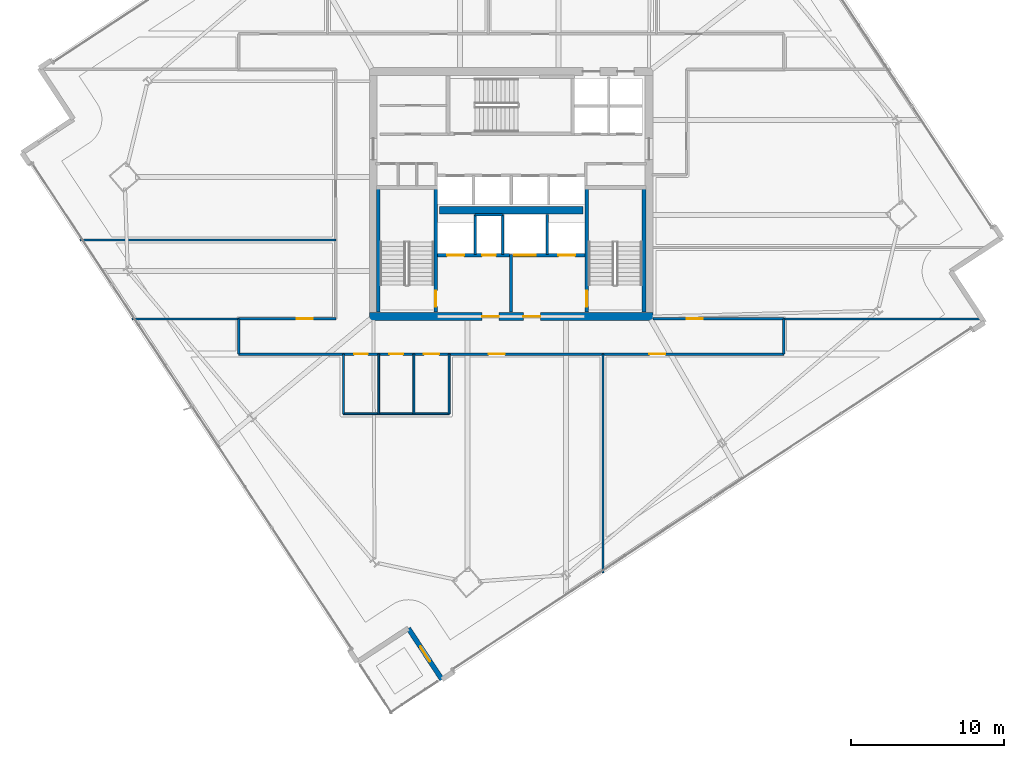
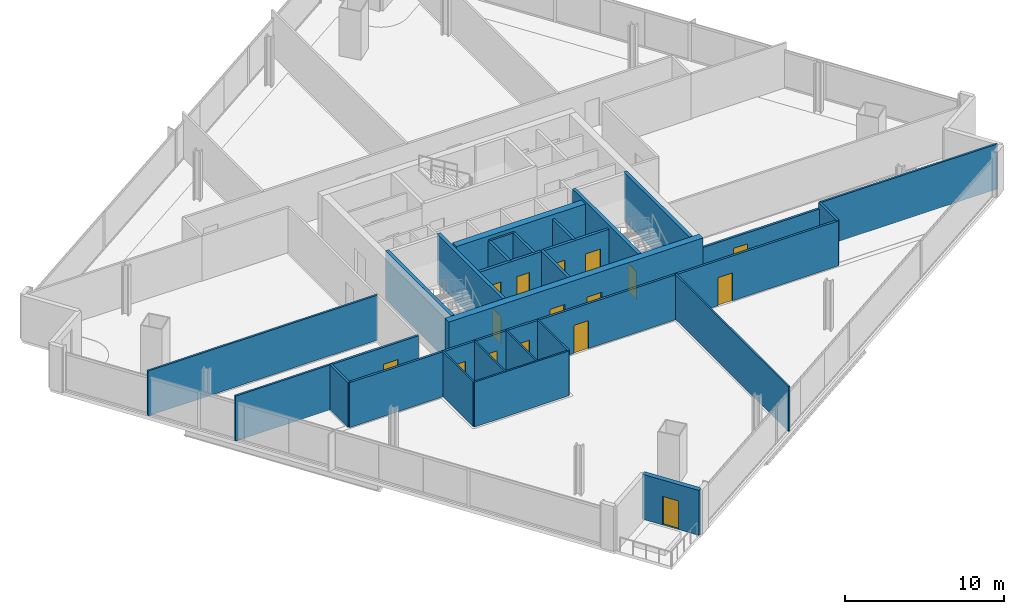
# One storey, part 21 of 29: 28 walls, 16 doors, 16 openings.
"""IFC4 building model written with IfcOpenShell, lengths in metres."""

from ifc_helpers import new_model, si_unit, direction, frame, frame_2d, origin, place, context, subcontext, project, spatial, rectangle, extrude, material, layer, layer_set, type_object, element, fill, save


model = new_model("IFC4")

# Units and contexts
model_context = context("Model", 3, precision=1e-05, world=origin(), true_north=direction((0.0, 1.0)))
body_context = subcontext(model_context, "Body", "Model", "MODEL_VIEW")
ifc_project = project(units=[si_unit("LENGTHUNIT", "METRE"), si_unit("AREAUNIT", "SQUARE_METRE"), si_unit("VOLUMEUNIT", "CUBIC_METRE"), si_unit("PLANEANGLEUNIT", "RADIAN"), si_unit("MASSUNIT", "GRAM", prefix="KILO")], contexts=[model_context])

# Site, building, storey
site_placement = place(None, origin())
site = spatial("IfcSite", under=ifc_project, at=site_placement, CompositionType="ELEMENT")
building_placement = place(site_placement, origin())
building = spatial("IfcBuilding", under=site, at=building_placement, Name="Haldenkirk Collegiate Tower", CompositionType="ELEMENT")
storey_placement = place(building_placement, frame((0.0, 0.0, 140.699951171875)))
storey = spatial("IfcBuildingStorey", under=building, at=storey_placement, Name="L34", CompositionType="ELEMENT", Elevation=140.699951171875)

# Wall, openings, doors
ifc_material_1 = material(Name="Concrete f'c 55 MPa", Category="concrete")
ifc_layer_1 = layer(ifc_material_1, 0.5)
ifc_layer_set_1 = layer_set([ifc_layer_1], Name="Concrete f'c 55 MPa")
wall_type_1 = type_object("IfcWallType", Name="WL-CORE-500", PredefinedType="SHEAR", material=ifc_layer_set_1)
wall_1_placement = place(storey_placement, frame((26.75, 18.0, 0.0), z_axis=(0.0, 0.0, 1.0), x_axis=(1.0, 0.0, 0.0)))
wall_1 = element("IfcWall", 1, at=wall_1_placement, inside=storey, type_object=wall_type_1, Name="L34 central core shear wall S", PredefinedType="SHEAR", context=body_context, shape_type="SweptSolid", body=[
    extrude(rectangle(XDim=18.5, YDim=0.5, at=frame_2d((9.25, 0.0))), origin(), (0.0, 0.0, 1.0), 3.75),
])
opening_1_placement = place(wall_1_placement, frame((7.35009765625, 0.0, 0.0)))
opening_1 = element("IfcOpeningElement", 2, at=opening_1_placement, cuts=wall_1, Name="Opening D-02", PredefinedType="OPENING", context=body_context, shape_type="SweptSolid", body=[
    extrude(rectangle(XDim=1.10009765625, YDim=2.14990234375, at=frame_2d((0.550048828125, 1.074951171875))), frame((0.0, 0.260009765625, 0.0), z_axis=(0.0, -1.0, 0.0), x_axis=(1.0, 0.0, 0.0)), (0.0, 0.0, 1.0), 0.52001953125),
])
opening_2_placement = place(wall_1_placement, frame((10.050048828125, 0.0, 0.0)))
opening_2 = element("IfcOpeningElement", 3, at=opening_2_placement, cuts=wall_1, Name="Opening D-02", PredefinedType="OPENING", context=body_context, shape_type="SweptSolid", body=[
    extrude(rectangle(XDim=1.10009765625, YDim=2.14990234375, at=frame_2d((0.550048828125, 1.074951171875))), frame((0.0, 0.260009765625, 0.0), z_axis=(0.0, -1.0, 0.0), x_axis=(1.0, 0.0, 0.0)), (0.0, 0.0, 1.0), 0.52001953125),
])
ifc_material_2 = material(Name="Galvanized fire-rated hollow steel door", Category="steel")
ifc_layer_2 = layer(ifc_material_2, 0.06005859375)
ifc_layer_set_2 = layer_set([ifc_layer_2], Name="Galvanized fire-rated hollow steel door")
door_type_1 = type_object("IfcDoorType", Name="DR-STAIR-FD90-1100", OperationType="NOTDEFINED", PredefinedType="DOOR", material=ifc_layer_set_2)
door_1_placement = place(opening_1_placement, origin())
door_1 = element("IfcDoor", 4, at=door_1_placement, inside=storey, type_object=door_type_1, Name="L34 Firefighting Lobby 1 door", OperationType="SINGLE_SWING_LEFT", OverallHeight=2.14990234375, OverallWidth=1.10009765625, PredefinedType="DOOR", context=body_context, shape_type="SweptSolid", body=[
    extrude(rectangle(XDim=1.10009765625, YDim=2.14990234375, at=frame_2d((0.550048828125, 1.074951171875))), frame((0.0, 0.02490234375, 0.0), z_axis=(0.0, -1.0, 0.0), x_axis=(1.0, 0.0, 0.0)), (0.0, 0.0, 1.0), 0.050048828125),
])
fill(opening_1, door_1)
door_2_placement = place(opening_2_placement, origin())
door_2 = element("IfcDoor", 5, at=door_2_placement, inside=storey, type_object=door_type_1, Name="L34 Firefighting Lobby 2 door", OperationType="SINGLE_SWING_RIGHT", OverallHeight=2.14990234375, OverallWidth=1.10009765625, PredefinedType="DOOR", context=body_context, shape_type="SweptSolid", body=[
    extrude(rectangle(XDim=1.10009765625, YDim=2.14990234375, at=frame_2d((0.550048828125, 1.074951171875))), frame((0.0, 0.02490234375, 0.0), z_axis=(0.0, -1.0, 0.0), x_axis=(1.0, 0.0, 0.0)), (0.0, 0.0, 1.0), 0.050048828125),
])
fill(opening_2, door_2)

# Wall
wall_2_placement = place(storey_placement, frame((31.31005859375, 24.949951171875, 0.0), z_axis=(0.0, 0.0, 1.0), x_axis=(1.0, 0.0, 0.0)))
element("IfcWall", 6, at=wall_2_placement, inside=storey, type_object=wall_type_1, Name="L34 central core spine shear wall", PredefinedType="SHEAR", context=body_context, shape_type="SweptSolid", body=[
    extrude(rectangle(XDim=9.3798828125, YDim=0.5, at=frame_2d((4.68994140625, 0.0))), origin(), (0.0, 0.0, 1.0), 3.75),
])

# Wall, opening, door
ifc_material_3 = material(Name="Precast concrete f'c 40 MPa", Category="concrete")
ifc_layer_3 = layer(ifc_material_3, 0.320068359375)
ifc_layer_set_3 = layer_set([ifc_layer_3], Name="Precast concrete f'c 40 MPa")
wall_type_2 = type_object("IfcWallType", Name="WL-EXT-TWR-320", PredefinedType="STANDARD", material=ifc_layer_set_3)
wall_3_placement = place(storey_placement, frame((31.485107421875, -5.70263671875, 0.0), z_axis=(0.0, 0.0, 1.0), x_axis=(-0.549746530767, 0.835331522158, 0.0)))
wall_3 = element("IfcWall", 7, at=wall_3_placement, inside=storey, type_object=wall_type_2, Name="L34 bronze precast notch wall 12", PredefinedType="STANDARD", context=body_context, shape_type="SweptSolid", body=[
    extrude(rectangle(XDim=4.0, YDim=0.320068359375, at=frame_2d((2.0, 0.0))), origin(), (0.0, 0.0, 1.0), 3.4599609375),
])
opening_3_placement = place(wall_3_placement, frame((1.425048828125, 0.0, 0.0)))
opening_3 = element("IfcOpeningElement", 8, at=opening_3_placement, cuts=wall_3, Name="Opening D-ST11", PredefinedType="OPENING", context=body_context, shape_type="SweptSolid", body=[
    extrude(rectangle(XDim=1.14990234375, YDim=2.199951171875, at=frame_2d((0.574951171875, 1.10009765625))), frame((0.0, 0.169921875, 0.0), z_axis=(0.0, -1.0, 0.0), x_axis=(1.0, 0.0, 0.0)), (0.0, 0.0, 1.0), 0.340087890625),
])
ifc_material_4 = material(Name="Anodised architectural bronze aluminium", Category="aluminium")
ifc_layer_4 = layer(ifc_material_4, 0.080078125)
ifc_layer_set_4 = layer_set([ifc_layer_4], Name="Anodised architectural bronze aluminium")
door_type_2 = type_object("IfcDoorType", Name="DR-EXT-STER-1150", OperationType="NOTDEFINED", PredefinedType="DOOR", material=ifc_layer_set_4)
door_3_placement = place(opening_3_placement, origin())
door_3 = element("IfcDoor", 9, at=door_3_placement, inside=storey, type_object=door_type_2, Name="L34 spiralling terrace door", OperationType="SINGLE_SWING_LEFT", OverallHeight=2.199951171875, OverallWidth=1.14990234375, PredefinedType="DOOR", context=body_context, shape_type="SweptSolid", body=[
    extrude(rectangle(XDim=1.14990234375, YDim=2.199951171875, at=frame_2d((0.574951171875, 1.10009765625))), frame((0.0, 0.02490234375, 0.0), z_axis=(0.0, -1.0, 0.0), x_axis=(1.0, 0.0, 0.0)), (0.0, 0.0, 1.0), 0.050048828125),
])
fill(opening_3, door_3)

# Wall, openings, doors
ifc_material_5 = material(Name="Acoustic fire-rated gypsum partition", Category="concrete")
ifc_layer_5 = layer(ifc_material_5, 0.159912109375)
ifc_layer_set_5 = layer_set([ifc_layer_5], Name="Acoustic fire-rated gypsum partition")
wall_type_3 = type_object("IfcWallType", Name="WL-INT-CORR-160", PredefinedType="PARTITIONING", material=ifc_layer_set_5)
wall_4_placement = place(storey_placement, frame((18.199951171875, 15.550048828125, 0.0), z_axis=(0.0, 0.0, 1.0), x_axis=(1.0, 0.0, 0.0)))
wall_4 = element("IfcWall", 10, at=wall_4_placement, inside=storey, type_object=wall_type_3, Name="L34 interior partition IW-L34-CS", PredefinedType="PARTITIONING", context=body_context, shape_type="SweptSolid", body=[
    extrude(rectangle(XDim=35.60009765625, YDim=0.159912109375, at=frame_2d((17.800048828125, 0.0))), origin(), (0.0, 0.0, 1.0), 3.4599609375),
])
opening_4_placement = place(wall_4_placement, frame((7.550048828125, 0.0, 0.0)))
opening_4 = element("IfcOpeningElement", 11, at=opening_4_placement, cuts=wall_4, Name="Opening D-13", PredefinedType="OPENING", context=body_context, shape_type="SweptSolid", body=[
    extrude(rectangle(XDim=0.89990234375, YDim=2.14990234375, at=frame_2d((0.449951171875, 1.074951171875))), frame((0.0, 0.08984375, 0.0), z_axis=(0.0, -1.0, 0.0), x_axis=(1.0, 0.0, 0.0)), (0.0, 0.0, 1.0), 0.179931640625),
])
opening_5_placement = place(wall_4_placement, frame((9.85009765625, 0.0, 0.0)))
opening_5 = element("IfcOpeningElement", 12, at=opening_5_placement, cuts=wall_4, Name="Opening D-13", PredefinedType="OPENING", context=body_context, shape_type="SweptSolid", body=[
    extrude(rectangle(XDim=0.89990234375, YDim=2.14990234375, at=frame_2d((0.449951171875, 1.074951171875))), frame((0.0, 0.08984375, 0.0), z_axis=(0.0, -1.0, 0.0), x_axis=(1.0, 0.0, 0.0)), (0.0, 0.0, 1.0), 0.179931640625),
])
opening_6_placement = place(wall_4_placement, frame((12.10009765625, 0.0, 0.0)))
opening_6 = element("IfcOpeningElement", 13, at=opening_6_placement, cuts=wall_4, Name="Opening D-14", PredefinedType="OPENING", context=body_context, shape_type="SweptSolid", body=[
    extrude(rectangle(XDim=1.0, YDim=2.14990234375, at=frame_2d((0.5, 1.074951171875))), frame((0.0, 0.08984375, 0.0), z_axis=(0.0, -1.0, 0.0), x_axis=(1.0, 0.0, 0.0)), (0.0, 0.0, 1.0), 0.179931640625),
])
opening_7_placement = place(wall_4_placement, frame((16.3349609375, 0.0, 0.0)))
opening_7 = element("IfcOpeningElement", 14, at=opening_7_placement, cuts=wall_4, Name="Opening D-09", PredefinedType="OPENING", context=body_context, shape_type="SweptSolid", body=[
    extrude(rectangle(XDim=1.050048828125, YDim=2.14990234375, at=frame_2d((0.52490234375, 1.074951171875))), frame((0.0, 0.08984375, 0.0), z_axis=(0.0, -1.0, 0.0), x_axis=(1.0, 0.0, 0.0)), (0.0, 0.0, 1.0), 0.179931640625),
])
opening_8_placement = place(wall_4_placement, frame((26.824951171875, 0.0, 0.0)))
opening_8 = element("IfcOpeningElement", 15, at=opening_8_placement, cuts=wall_4, Name="Opening D-09", PredefinedType="OPENING", context=body_context, shape_type="SweptSolid", body=[
    extrude(rectangle(XDim=1.050048828125, YDim=2.14990234375, at=frame_2d((0.52490234375, 1.074951171875))), frame((0.0, 0.08984375, 0.0), z_axis=(0.0, -1.0, 0.0), x_axis=(1.0, 0.0, 0.0)), (0.0, 0.0, 1.0), 0.179931640625),
])
ifc_material_6 = material(Name="Solid-core architectural oak fire door", Category="wood")
ifc_layer_6 = layer(ifc_material_6, 0.06005859375)
ifc_layer_set_6 = layer_set([ifc_layer_6], Name="Solid-core architectural oak fire door")
door_type_3 = type_object("IfcDoorType", Name="DR-INT-ACC-1000", OperationType="NOTDEFINED", PredefinedType="DOOR", material=ifc_layer_set_6)
door_4_placement = place(opening_6_placement, origin())
door_4 = element("IfcDoor", 16, at=door_4_placement, inside=storey, type_object=door_type_3, Name="L34 Accessible WC door", OperationType="SINGLE_SWING_RIGHT", OverallHeight=2.14990234375, OverallWidth=1.0, PredefinedType="DOOR", context=body_context, shape_type="SweptSolid", body=[
    extrude(rectangle(XDim=1.0, YDim=2.14990234375, at=frame_2d((0.5, 1.074951171875))), frame((0.0, 0.02490234375, 0.0), z_axis=(0.0, -1.0, 0.0), x_axis=(1.0, 0.0, 0.0)), (0.0, 0.0, 1.0), 0.050048828125),
])
fill(opening_6, door_4)
ifc_layer_7 = layer(ifc_material_6, 0.06005859375)
ifc_layer_set_7 = layer_set([ifc_layer_7], Name="Solid-core architectural oak fire door")
door_type_4 = type_object("IfcDoorType", Name="DR-INT-FD60-1050", OperationType="NOTDEFINED", PredefinedType="DOOR", material=ifc_layer_set_7)
door_5_placement = place(opening_7_placement, origin())
door_5 = element("IfcDoor", 17, at=door_5_placement, inside=storey, type_object=door_type_4, Name="L34 Special Collections Archive 1 door", OperationType="SINGLE_SWING_LEFT", OverallHeight=2.14990234375, OverallWidth=1.050048828125, PredefinedType="DOOR", context=body_context, shape_type="SweptSolid", body=[
    extrude(rectangle(XDim=1.050048828125, YDim=2.14990234375, at=frame_2d((0.52490234375, 1.074951171875))), frame((0.0, 0.02490234375, 0.0), z_axis=(0.0, -1.0, 0.0), x_axis=(1.0, 0.0, 0.0)), (0.0, 0.0, 1.0), 0.050048828125),
])
fill(opening_7, door_5)
door_6_placement = place(opening_8_placement, origin())
door_6 = element("IfcDoor", 18, at=door_6_placement, inside=storey, type_object=door_type_4, Name="L34 Rare Folio Vault 2 door", OperationType="SINGLE_SWING_RIGHT", OverallHeight=2.14990234375, OverallWidth=1.050048828125, PredefinedType="DOOR", context=body_context, shape_type="SweptSolid", body=[
    extrude(rectangle(XDim=1.050048828125, YDim=2.14990234375, at=frame_2d((0.52490234375, 1.074951171875))), frame((0.0, 0.02490234375, 0.0), z_axis=(0.0, -1.0, 0.0), x_axis=(1.0, 0.0, 0.0)), (0.0, 0.0, 1.0), 0.050048828125),
])
fill(opening_8, door_6)
ifc_layer_8 = layer(ifc_material_6, 0.06005859375)
ifc_layer_set_8 = layer_set([ifc_layer_8], Name="Solid-core architectural oak fire door")
door_type_5 = type_object("IfcDoorType", Name="DR-INT-STD-900", OperationType="NOTDEFINED", PredefinedType="DOOR", material=ifc_layer_set_8)
door_7_placement = place(opening_4_placement, origin())
door_7 = element("IfcDoor", 19, at=door_7_placement, inside=storey, type_object=door_type_5, Name="L34 Male WC door", OperationType="SINGLE_SWING_RIGHT", OverallHeight=2.14990234375, OverallWidth=0.89990234375, PredefinedType="DOOR", context=body_context, shape_type="SweptSolid", body=[
    extrude(rectangle(XDim=0.89990234375, YDim=2.14990234375, at=frame_2d((0.449951171875, 1.074951171875))), frame((0.0, 0.02490234375, 0.0), z_axis=(0.0, -1.0, 0.0), x_axis=(1.0, 0.0, 0.0)), (0.0, 0.0, 1.0), 0.050048828125),
])
fill(opening_4, door_7)
door_8_placement = place(opening_5_placement, origin())
door_8 = element("IfcDoor", 20, at=door_8_placement, inside=storey, type_object=door_type_5, Name="L34 Female WC door", OperationType="SINGLE_SWING_LEFT", OverallHeight=2.14990234375, OverallWidth=0.89990234375, PredefinedType="DOOR", context=body_context, shape_type="SweptSolid", body=[
    extrude(rectangle(XDim=0.89990234375, YDim=2.14990234375, at=frame_2d((0.449951171875, 1.074951171875))), frame((0.0, 0.02490234375, 0.0), z_axis=(0.0, -1.0, 0.0), x_axis=(1.0, 0.0, 0.0)), (0.0, 0.0, 1.0), 0.050048828125),
])
fill(opening_5, door_8)

# Wall, opening, door
wall_5_placement = place(storey_placement, frame((18.199951171875, 17.85009765625, 0.0), z_axis=(0.0, 0.0, 1.0), x_axis=(1.0, 0.0, 0.0)))
wall_5 = element("IfcWall", 21, at=wall_5_placement, inside=storey, type_object=wall_type_3, Name="L34 interior partition IW-L34-CSW", PredefinedType="PARTITIONING", context=body_context, shape_type="SweptSolid", body=[
    extrude(rectangle(XDim=6.35009765625, YDim=0.159912109375, at=frame_2d((3.175048828125, 0.0))), origin(), (0.0, 0.0, 1.0), 3.4599609375),
])
opening_9_placement = place(wall_5_placement, frame((3.79296875, 0.0, 0.0)))
opening_9 = element("IfcOpeningElement", 22, at=opening_9_placement, cuts=wall_5, Name="Opening D-09", PredefinedType="OPENING", context=body_context, shape_type="SweptSolid", body=[
    extrude(rectangle(XDim=1.050048828125, YDim=2.14990234375, at=frame_2d((0.52490234375, 1.074951171875))), frame((0.0, 0.08984375, 0.0), z_axis=(0.0, -1.0, 0.0), x_axis=(1.0, 0.0, 0.0)), (0.0, 0.0, 1.0), 0.179931640625),
])
door_9_placement = place(opening_9_placement, origin())
door_9 = element("IfcDoor", 23, at=door_9_placement, inside=storey, type_object=door_type_4, Name="L34 Special Collections Archive 7 door", OperationType="SINGLE_SWING_LEFT", OverallHeight=2.14990234375, OverallWidth=1.050048828125, PredefinedType="DOOR", context=body_context, shape_type="SweptSolid", body=[
    extrude(rectangle(XDim=1.050048828125, YDim=2.14990234375, at=frame_2d((0.52490234375, 1.074951171875))), frame((0.0, 0.02490234375, 0.0), z_axis=(0.0, -1.0, 0.0), x_axis=(1.0, 0.0, 0.0)), (0.0, 0.0, 1.0), 0.050048828125),
])
fill(opening_9, door_9)

wall_6_placement = place(storey_placement, frame((45.25, 17.85009765625, 0.0), z_axis=(0.0, 0.0, 1.0), x_axis=(1.0, 0.0, 0.0)))
wall_6 = element("IfcWall", 24, at=wall_6_placement, inside=storey, type_object=wall_type_3, Name="L34 interior partition IW-L34-CSE", PredefinedType="PARTITIONING", context=body_context, shape_type="SweptSolid", body=[
    extrude(rectangle(XDim=8.550048828125, YDim=0.159912109375, at=frame_2d((4.27490234375, 0.0))), origin(), (0.0, 0.0, 1.0), 2.998046875),
])
opening_10_placement = place(wall_6_placement, frame((2.2109375, 0.0, 0.0)))
opening_10 = element("IfcOpeningElement", 25, at=opening_10_placement, cuts=wall_6, Name="Opening D-09", PredefinedType="OPENING", context=body_context, shape_type="SweptSolid", body=[
    extrude(rectangle(XDim=1.050048828125, YDim=2.14990234375, at=frame_2d((0.52490234375, 1.074951171875))), frame((0.0, 0.08984375, 0.0), z_axis=(0.0, -1.0, 0.0), x_axis=(1.0, 0.0, 0.0)), (0.0, 0.0, 1.0), 0.179931640625),
])
door_10_placement = place(opening_10_placement, origin())
door_10 = element("IfcDoor", 26, at=door_10_placement, inside=storey, type_object=door_type_4, Name="L34 Treaty Archive Store 9 door", OperationType="SINGLE_SWING_LEFT", OverallHeight=2.14990234375, OverallWidth=1.050048828125, PredefinedType="DOOR", context=body_context, shape_type="SweptSolid", body=[
    extrude(rectangle(XDim=1.050048828125, YDim=2.14990234375, at=frame_2d((0.52490234375, 1.074951171875))), frame((0.0, 0.02490234375, 0.0), z_axis=(0.0, -1.0, 0.0), x_axis=(1.0, 0.0, 0.0)), (0.0, 0.0, 1.0), 0.050048828125),
])
fill(opening_10, door_10)

# Walls
for number, where, z_axis, x_axis, name in (
    (27, (18.199951171875, 15.550048828125, 0.0), (0.0, 0.0, 1.0), (0.0, 1.0, 0.0), "L34 interior partition IW-L34-CSL"),
    (28, (53.800048828125, 15.550048828125, 0.0), (0.0, 0.0, 1.0), (0.0, 1.0, 0.0), "L34 interior partition IW-L34-CSR"),
):
    element("IfcWall", number, at=place(storey_placement, frame(where, z_axis=z_axis, x_axis=x_axis)), inside=storey, type_object=wall_type_3, Name=name, PredefinedType="PARTITIONING", context=body_context, shape_type="SweptSolid", body=[
        extrude(rectangle(XDim=2.300048828125, YDim=0.159912109375, at=frame_2d((1.14990234375, 0.0))), origin(), (0.0, 0.0, 1.0), 3.4599609375),
    ])
ifc_layer_9 = layer(ifc_material_5, 0.139892578125)
ifc_layer_set_9 = layer_set([ifc_layer_9], Name="Acoustic fire-rated gypsum partition")
wall_type_4 = type_object("IfcWallType", Name="WL-INT-DIV-140", PredefinedType="PARTITIONING", material=ifc_layer_set_9)
wall_7_placement = place(storey_placement, frame((11.243896484375, 17.85009765625, 0.0), z_axis=(0.0, 0.0, 1.0), x_axis=(1.0, 0.0, 0.0)))
element("IfcWall", 29, at=wall_7_placement, inside=storey, type_object=wall_type_4, Name="L34 interior partition IW-L34-BWS", PredefinedType="PARTITIONING", context=body_context, shape_type="SweptSolid", body=[
    extrude(rectangle(XDim=6.9560546875, YDim=0.139892578125, at=frame_2d((3.47802734375, 0.0))), origin(), (0.0, 0.0, 1.0), 3.4599609375),
])
wall_8_placement = place(storey_placement, frame((53.800048828125, 17.85009765625, 0.0), z_axis=(0.0, 0.0, 1.0), x_axis=(1.0, 0.0, 0.0)))
element("IfcWall", 30, at=wall_8_placement, inside=storey, type_object=wall_type_4, Name="L34 interior partition IW-L34-BES", PredefinedType="PARTITIONING", context=body_context, shape_type="SweptSolid", body=[
    extrude(rectangle(XDim=12.89501953125, YDim=0.139892578125, at=frame_2d((6.447509765625, 0.0))), origin(), (0.0, 0.0, 1.0), 3.4599609375),
])
wall_9_placement = place(storey_placement, frame((7.8544921875, 23.0, 0.0), z_axis=(0.0, 0.0, 1.0), x_axis=(1.0, 0.0, 0.0)))
element("IfcWall", 31, at=wall_9_placement, inside=storey, type_object=wall_type_4, Name="L34 interior partition IW-L34-RW1", PredefinedType="PARTITIONING", context=body_context, shape_type="SweptSolid", body=[
    extrude(rectangle(XDim=16.695556640625, YDim=0.139892578125, at=frame_2d((8.34765625, 0.0))), origin(), (0.0, 0.0, 1.0), 3.4599609375),
])
ifc_material_7 = material(Name="Fire-rated gypsum shaftboard assembly", Category="concrete")
ifc_layer_10 = layer(ifc_material_7, 0.179931640625)
ifc_layer_set_10 = layer_set([ifc_layer_10], Name="Fire-rated gypsum shaftboard assembly")
wall_type_5 = type_object("IfcWallType", Name="WL-INT-SHAFT-180", PredefinedType="PARTITIONING", material=ifc_layer_set_10)
for number, where, z_axis, x_axis, name in (
    (32, (33.64990234375, 22.050048828125, 0.0), (0.0, 0.0, 1.0), (0.0, 1.0, 0.0), "L34 interior partition IW-L34-FL1E"),
    (33, (35.449951171875, 22.050048828125, 0.0), (0.0, 0.0, 1.0), (0.0, 1.0, 0.0), "L34 interior partition IW-L34-GL1W"),
):
    element("IfcWall", number, at=place(storey_placement, frame(where, z_axis=z_axis, x_axis=x_axis)), inside=storey, type_object=wall_type_5, Name=name, PredefinedType="PARTITIONING", context=body_context, shape_type="SweptSolid", body=[
        extrude(rectangle(XDim=2.599853515625, YDim=0.179931640625, at=frame_2d((1.2998046875, 0.0))), origin(), (0.0, 0.0, 1.0), 3.4599609375),
    ])
wall_10_placement = place(storey_placement, frame((33.64990234375, 24.64990234375, 0.0), z_axis=(0.0, 0.0, 1.0), x_axis=(1.0, 0.0, 0.0)))
element("IfcWall", 34, at=wall_10_placement, inside=storey, type_object=wall_type_5, Name="L34 interior partition IW-L34-RSRN", PredefinedType="PARTITIONING", context=body_context, shape_type="SweptSolid", body=[
    extrude(rectangle(XDim=1.800048828125, YDim=0.179931640625, at=frame_2d((0.89990234375, 0.0))), origin(), (0.0, 0.0, 1.0), 3.4599609375),
])
wall_11_placement = place(storey_placement, frame((38.35009765625, 22.050048828125, 0.0), z_axis=(0.0, 0.0, 1.0), x_axis=(0.0, 1.0, 0.0)))
element("IfcWall", 35, at=wall_11_placement, inside=storey, type_object=wall_type_5, Name="L34 interior partition IW-L34-GL1E", PredefinedType="PARTITIONING", context=body_context, shape_type="SweptSolid", body=[
    extrude(rectangle(XDim=2.599853515625, YDim=0.179931640625, at=frame_2d((1.2998046875, 0.0))), origin(), (0.0, 0.0, 1.0), 3.4599609375),
])
ifc_layer_11 = layer(ifc_material_7, 0.199951171875)
ifc_layer_set_11 = layer_set([ifc_layer_11], Name="Fire-rated gypsum shaftboard assembly")
wall_type_6 = type_object("IfcWallType", Name="WL-INT-SHAFT-200", PredefinedType="PARTITIONING", material=ifc_layer_set_11)
wall_12_placement = place(storey_placement, frame((36.0, 18.280029296875, 0.0), z_axis=(0.0, 0.0, 1.0), x_axis=(0.0, 1.0, 0.0)))
element("IfcWall", 36, at=wall_12_placement, inside=storey, type_object=wall_type_6, Name="L34 interior partition IW-L34-FFLM", PredefinedType="PARTITIONING", context=body_context, shape_type="SweptSolid", body=[
    extrude(rectangle(XDim=3.77001953125, YDim=0.199951171875, at=frame_2d((1.885009765625, 0.0))), origin(), (0.0, 0.0, 1.0), 3.4599609375),
])

# Wall, openings, doors
wall_13_placement = place(storey_placement, frame((31.18994140625, 22.0, 0.0), z_axis=(0.0, 0.0, 1.0), x_axis=(1.0, 0.0, 0.0)))
wall_13 = element("IfcWall", 37, at=wall_13_placement, inside=storey, type_object=wall_type_6, Name="L34 interior partition IW-L34-FFL1N", PredefinedType="PARTITIONING", context=body_context, shape_type="SweptSolid", body=[
    extrude(rectangle(XDim=4.68994140625, YDim=0.199951171875, at=frame_2d((2.344970703125, 0.0))), origin(), (0.0, 0.0, 1.0), 3.4599609375),
])
opening_11_placement = place(wall_13_placement, frame((2.909912109375, 0.0, 0.0)))
opening_11 = element("IfcOpeningElement", 38, at=opening_11_placement, cuts=wall_13, Name="Opening D-06", PredefinedType="OPENING", context=body_context, shape_type="SweptSolid", body=[
    extrude(rectangle(XDim=0.89990234375, YDim=2.14990234375, at=frame_2d((0.449951171875, 1.074951171875))), frame((0.0, 0.10986328125, 0.0), z_axis=(0.0, -1.0, 0.0), x_axis=(1.0, 0.0, 0.0)), (0.0, 0.0, 1.0), 0.219970703125),
])
opening_12_placement = place(wall_13_placement, frame((0.635009765625, 0.0, 0.0)))
opening_12 = element("IfcOpeningElement", 39, at=opening_12_placement, cuts=wall_13, Name="Opening LD-12", PredefinedType="OPENING", context=body_context, shape_type="SweptSolid", body=[
    extrude(rectangle(XDim=1.10009765625, YDim=2.14990234375, at=frame_2d((0.550048828125, 1.074951171875))), frame((0.0, 0.10986328125, 0.0), z_axis=(0.0, -1.0, 0.0), x_axis=(1.0, 0.0, 0.0)), (0.0, 0.0, 1.0), 0.219970703125),
])
ifc_layer_12 = layer(ifc_material_2, 0.06005859375)
ifc_layer_set_12 = layer_set([ifc_layer_12], Name="Galvanized fire-rated hollow steel door")
door_type_6 = type_object("IfcDoorType", Name="DR-INT-FD90-900", OperationType="NOTDEFINED", PredefinedType="DOOR", material=ifc_layer_set_12)
door_11_placement = place(opening_11_placement, origin())
door_11 = element("IfcDoor", 40, at=door_11_placement, inside=storey, type_object=door_type_6, Name="L34 electrical riser door", OperationType="SINGLE_SWING_LEFT", OverallHeight=2.14990234375, OverallWidth=0.89990234375, PredefinedType="DOOR", context=body_context, shape_type="SweptSolid", body=[
    extrude(rectangle(XDim=0.89990234375, YDim=2.14990234375, at=frame_2d((0.449951171875, 1.074951171875))), frame((0.0, 0.02490234375, 0.0), z_axis=(0.0, -1.0, 0.0), x_axis=(1.0, 0.0, 0.0)), (0.0, 0.0, 1.0), 0.050048828125),
])
fill(opening_11, door_11)
ifc_material_8 = material(Name="Brushed architectural stainless steel", Category="steel")
ifc_layer_13 = layer(ifc_material_8, 0.06005859375)
ifc_layer_set_13 = layer_set([ifc_layer_13], Name="Brushed architectural stainless steel")
door_type_7 = type_object("IfcDoorType", Name="LD-FIRE-1100", OperationType="NOTDEFINED", PredefinedType="DOOR", material=ifc_layer_set_13)
door_12_placement = place(opening_12_placement, origin())
door_12 = element("IfcDoor", 41, at=door_12_placement, inside=storey, type_object=door_type_7, Name="L34 Elevator FL1 sliding landing door", OperationType="SLIDING_TO_LEFT", OverallHeight=2.14990234375, OverallWidth=1.10009765625, PredefinedType="DOOR", context=body_context, shape_type="SweptSolid", body=[
    extrude(rectangle(XDim=1.10009765625, YDim=2.14990234375, at=frame_2d((0.550048828125, 1.074951171875))), frame((0.0, 0.02490234375, 0.0), z_axis=(0.0, -1.0, 0.0), x_axis=(1.0, 0.0, 0.0)), (0.0, 0.0, 1.0), 0.050048828125),
])
fill(opening_12, door_12)

wall_14_placement = place(storey_placement, frame((36.1201171875, 22.0, 0.0), z_axis=(0.0, 0.0, 1.0), x_axis=(1.0, 0.0, 0.0)))
wall_14 = element("IfcWall", 42, at=wall_14_placement, inside=storey, type_object=wall_type_6, Name="L34 interior partition IW-L34-FFL2N", PredefinedType="PARTITIONING", context=body_context, shape_type="SweptSolid", body=[
    extrude(rectangle(XDim=4.68994140625, YDim=0.199951171875, at=frame_2d((2.344970703125, 0.0))), origin(), (0.0, 0.0, 1.0), 3.4599609375),
])
opening_13_placement = place(wall_14_placement, frame((2.955078125, 0.0, 0.0)))
opening_13 = element("IfcOpeningElement", 43, at=opening_13_placement, cuts=wall_14, Name="Opening LD-12", PredefinedType="OPENING", context=body_context, shape_type="SweptSolid", body=[
    extrude(rectangle(XDim=1.10009765625, YDim=2.14990234375, at=frame_2d((0.550048828125, 1.074951171875))), frame((0.0, 0.10986328125, 0.0), z_axis=(0.0, -1.0, 0.0), x_axis=(1.0, 0.0, 0.0)), (0.0, 0.0, 1.0), 0.219970703125),
])
opening_14_placement = place(wall_14_placement, frame((0.080078125, 0.0, 0.0)))
opening_14 = element("IfcOpeningElement", 44, at=opening_14_placement, cuts=wall_14, Name="Opening LD-13", PredefinedType="OPENING", context=body_context, shape_type="SweptSolid", body=[
    extrude(rectangle(XDim=1.39990234375, YDim=2.199951171875, at=frame_2d((0.699951171875, 1.10009765625))), frame((0.0, 0.10986328125, 0.0), z_axis=(0.0, -1.0, 0.0), x_axis=(1.0, 0.0, 0.0)), (0.0, 0.0, 1.0), 0.219970703125),
])
door_13_placement = place(opening_13_placement, origin())
door_13 = element("IfcDoor", 45, at=door_13_placement, inside=storey, type_object=door_type_7, Name="L34 Elevator FL2 sliding landing door", OperationType="SLIDING_TO_LEFT", OverallHeight=2.14990234375, OverallWidth=1.10009765625, PredefinedType="DOOR", context=body_context, shape_type="SweptSolid", body=[
    extrude(rectangle(XDim=1.10009765625, YDim=2.14990234375, at=frame_2d((0.550048828125, 1.074951171875))), frame((0.0, 0.02490234375, 0.0), z_axis=(0.0, -1.0, 0.0), x_axis=(1.0, 0.0, 0.0)), (0.0, 0.0, 1.0), 0.050048828125),
])
fill(opening_13, door_13)
ifc_layer_14 = layer(ifc_material_8, 0.06005859375)
ifc_layer_set_14 = layer_set([ifc_layer_14], Name="Brushed architectural stainless steel")
door_type_8 = type_object("IfcDoorType", Name="LD-GOODS-1400", OperationType="NOTDEFINED", PredefinedType="DOOR", material=ifc_layer_set_14)
door_14_placement = place(opening_14_placement, origin())
door_14 = element("IfcDoor", 46, at=door_14_placement, inside=storey, type_object=door_type_8, Name="L34 Elevator GL1 sliding landing door", OperationType="SLIDING_TO_LEFT", OverallHeight=2.199951171875, OverallWidth=1.39990234375, PredefinedType="DOOR", context=body_context, shape_type="SweptSolid", body=[
    extrude(rectangle(XDim=1.39990234375, YDim=2.199951171875, at=frame_2d((0.699951171875, 1.10009765625))), frame((0.0, 0.02490234375, 0.0), z_axis=(0.0, -1.0, 0.0), x_axis=(1.0, 0.0, 0.0)), (0.0, 0.0, 1.0), 0.050048828125),
])
fill(opening_14, door_14)

# Walls
ifc_layer_15 = layer(ifc_material_5, 0.1201171875)
ifc_layer_set_15 = layer_set([ifc_layer_15], Name="Acoustic fire-rated gypsum partition")
wall_type_7 = type_object("IfcWallType", Name="WL-INT-WET-120", PredefinedType="PARTITIONING", material=ifc_layer_set_15)
for number, where, z_axis, x_axis, name in (
    (47, (25.050048828125, 11.64990234375, 0.0), (0.0, 0.0, 1.0), (0.0, 1.0, 0.0), "L34 interior partition IW-L34-WCW"),
    (48, (27.35009765625, 11.64990234375, 0.0), (0.0, 0.0, 1.0), (0.0, 1.0, 0.0), "L34 interior partition IW-L34-WC1"),
    (49, (29.64990234375, 11.64990234375, 0.0), (0.0, 0.0, 1.0), (0.0, 1.0, 0.0), "L34 interior partition IW-L34-WC2"),
    (50, (31.949951171875, 11.64990234375, 0.0), (0.0, 0.0, 1.0), (0.0, 1.0, 0.0), "L34 interior partition IW-L34-WCE"),
):
    element("IfcWall", number, at=place(storey_placement, frame(where, z_axis=z_axis, x_axis=x_axis)), inside=storey, type_object=wall_type_7, Name=name, PredefinedType="PARTITIONING", context=body_context, shape_type="SweptSolid", body=[
        extrude(rectangle(XDim=3.900146484375, YDim=0.1201171875, at=frame_2d((1.9501953125, 0.0))), origin(), (0.0, 0.0, 1.0), 3.4599609375),
    ])
wall_15_placement = place(storey_placement, frame((25.050048828125, 11.64990234375, 0.0), z_axis=(0.0, 0.0, 1.0), x_axis=(1.0, 0.0, 0.0)))
element("IfcWall", 51, at=wall_15_placement, inside=storey, type_object=wall_type_7, Name="L34 interior partition IW-L34-WCB", PredefinedType="PARTITIONING", context=body_context, shape_type="SweptSolid", body=[
    extrude(rectangle(XDim=6.89990234375, YDim=0.1201171875, at=frame_2d((3.449951171875, 0.0))), origin(), (0.0, 0.0, 1.0), 3.4599609375),
])
wall_16_placement = place(storey_placement, frame((42.0, 1.265380859375, 0.0), z_axis=(0.0, 0.0, 1.0), x_axis=(0.0, 1.0, 0.0)))
element("IfcWall", 52, at=wall_16_placement, inside=storey, type_object=wall_type_7, Name="L34 interior partition IW-L34-RS1", PredefinedType="PARTITIONING", context=body_context, shape_type="SweptSolid", body=[
    extrude(rectangle(XDim=14.28466796875, YDim=0.1201171875, at=frame_2d((7.142333984375, 0.0))), origin(), (0.0, 0.0, 1.0), 3.4599609375),
])

# Wall, opening, door
ifc_layer_16 = layer(ifc_material_1, 0.239990234375)
ifc_layer_set_16 = layer_set([ifc_layer_16], Name="Concrete f'c 55 MPa")
wall_type_8 = type_object("IfcWallType", Name="WL-SHAFT-240", PredefinedType="SHEAR", material=ifc_layer_set_16)
wall_17_placement = place(storey_placement, frame((31.070068359375, 18.280029296875, 0.0), z_axis=(0.0, 0.0, 1.0), x_axis=(0.0, 1.0, 0.0)))
wall_17 = element("IfcWall", 53, at=wall_17_placement, inside=storey, type_object=wall_type_8, Name="L34 stair shaft shear wall SW-L34-ST1E", PredefinedType="SHEAR", context=body_context, shape_type="SweptSolid", body=[
    extrude(rectangle(XDim=8.260009765625, YDim=0.239990234375, at=frame_2d((4.1298828125, 0.0))), origin(), (0.0, 0.0, 1.0), 3.75),
])
opening_15_placement = place(wall_17_placement, frame((0.364990234375, 0.0, 0.0)))
opening_15 = element("IfcOpeningElement", 54, at=opening_15_placement, cuts=wall_17, Name="Opening D-01", PredefinedType="OPENING", context=body_context, shape_type="SweptSolid", body=[
    extrude(rectangle(XDim=1.050048828125, YDim=2.14990234375, at=frame_2d((0.52490234375, 1.074951171875))), frame((0.0, 0.1298828125, 0.0), z_axis=(0.0, -1.0, 0.0), x_axis=(1.0, 0.0, 0.0)), (0.0, 0.0, 1.0), 0.260009765625),
])
ifc_layer_17 = layer(ifc_material_2, 0.06005859375)
ifc_layer_set_17 = layer_set([ifc_layer_17], Name="Galvanized fire-rated hollow steel door")
door_type_9 = type_object("IfcDoorType", Name="DR-STAIR-FD90-1050", OperationType="NOTDEFINED", PredefinedType="DOOR", material=ifc_layer_set_17)
door_15_placement = place(opening_15_placement, origin())
door_15 = element("IfcDoor", 55, at=door_15_placement, inside=storey, type_object=door_type_9, Name="L34 Stair 1 door", OperationType="SINGLE_SWING_LEFT", OverallHeight=2.14990234375, OverallWidth=1.050048828125, PredefinedType="DOOR", context=body_context, shape_type="SweptSolid", body=[
    extrude(rectangle(XDim=1.050048828125, YDim=2.14990234375, at=frame_2d((0.52490234375, 1.074951171875))), frame((0.0, 0.02490234375, 0.0), z_axis=(0.0, -1.0, 0.0), x_axis=(1.0, 0.0, 0.0)), (0.0, 0.0, 1.0), 0.050048828125),
])
fill(opening_15, door_15)

# Wall
wall_18_placement = place(storey_placement, frame((27.330078125, 18.280029296875, 0.0), z_axis=(0.0, 0.0, 1.0), x_axis=(0.0, 1.0, 0.0)))
element("IfcWall", 56, at=wall_18_placement, inside=storey, type_object=wall_type_8, Name="L34 stair shaft shear wall SW-L34-ST1W", PredefinedType="SHEAR", context=body_context, shape_type="SweptSolid", body=[
    extrude(rectangle(XDim=8.260009765625, YDim=0.239990234375, at=frame_2d((4.1298828125, 0.0))), origin(), (0.0, 0.0, 1.0), 3.75),
])

# Wall, opening, door
wall_19_placement = place(storey_placement, frame((40.929931640625, 18.280029296875, 0.0), z_axis=(0.0, 0.0, 1.0), x_axis=(0.0, 1.0, 0.0)))
wall_19 = element("IfcWall", 57, at=wall_19_placement, inside=storey, type_object=wall_type_8, Name="L34 stair shaft shear wall SW-L34-ST2W", PredefinedType="SHEAR", context=body_context, shape_type="SweptSolid", body=[
    extrude(rectangle(XDim=8.260009765625, YDim=0.239990234375, at=frame_2d((4.1298828125, 0.0))), origin(), (0.0, 0.0, 1.0), 3.75),
])
opening_16_placement = place(wall_19_placement, frame((0.364990234375, 0.0, 0.0)))
opening_16 = element("IfcOpeningElement", 58, at=opening_16_placement, cuts=wall_19, Name="Opening D-01", PredefinedType="OPENING", context=body_context, shape_type="SweptSolid", body=[
    extrude(rectangle(XDim=1.050048828125, YDim=2.14990234375, at=frame_2d((0.52490234375, 1.074951171875))), frame((0.0, 0.1298828125, 0.0), z_axis=(0.0, -1.0, 0.0), x_axis=(1.0, 0.0, 0.0)), (0.0, 0.0, 1.0), 0.260009765625),
])
door_16_placement = place(opening_16_placement, origin())
door_16 = element("IfcDoor", 59, at=door_16_placement, inside=storey, type_object=door_type_9, Name="L34 Stair 2 door", OperationType="SINGLE_SWING_RIGHT", OverallHeight=2.14990234375, OverallWidth=1.050048828125, PredefinedType="DOOR", context=body_context, shape_type="SweptSolid", body=[
    extrude(rectangle(XDim=1.050048828125, YDim=2.14990234375, at=frame_2d((0.52490234375, 1.074951171875))), frame((0.0, 0.02490234375, 0.0), z_axis=(0.0, -1.0, 0.0), x_axis=(1.0, 0.0, 0.0)), (0.0, 0.0, 1.0), 0.050048828125),
])
fill(opening_16, door_16)

# Wall
wall_20_placement = place(storey_placement, frame((44.669921875, 18.280029296875, 0.0), z_axis=(0.0, 0.0, 1.0), x_axis=(0.0, 1.0, 0.0)))
element("IfcWall", 60, at=wall_20_placement, inside=storey, type_object=wall_type_8, Name="L34 stair shaft shear wall SW-L34-ST2E", PredefinedType="SHEAR", context=body_context, shape_type="SweptSolid", body=[
    extrude(rectangle(XDim=8.260009765625, YDim=0.239990234375, at=frame_2d((4.1298828125, 0.0))), origin(), (0.0, 0.0, 1.0), 3.75),
])

save(model, "model.ifc")
